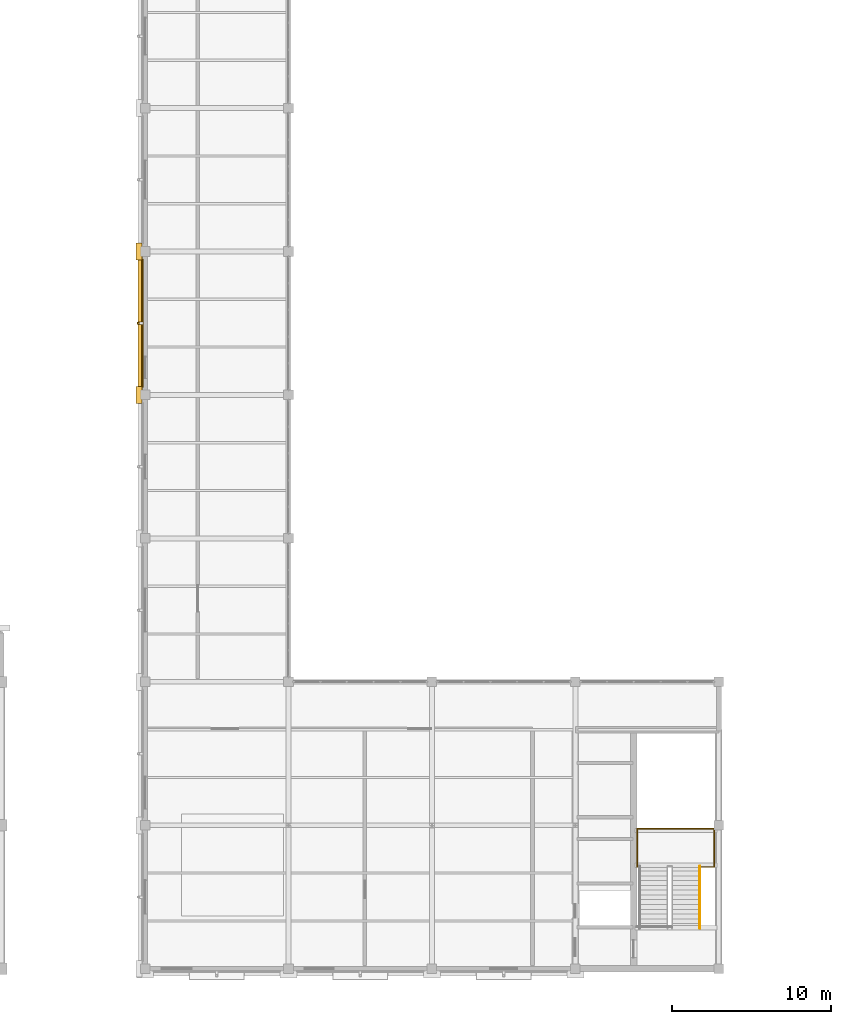
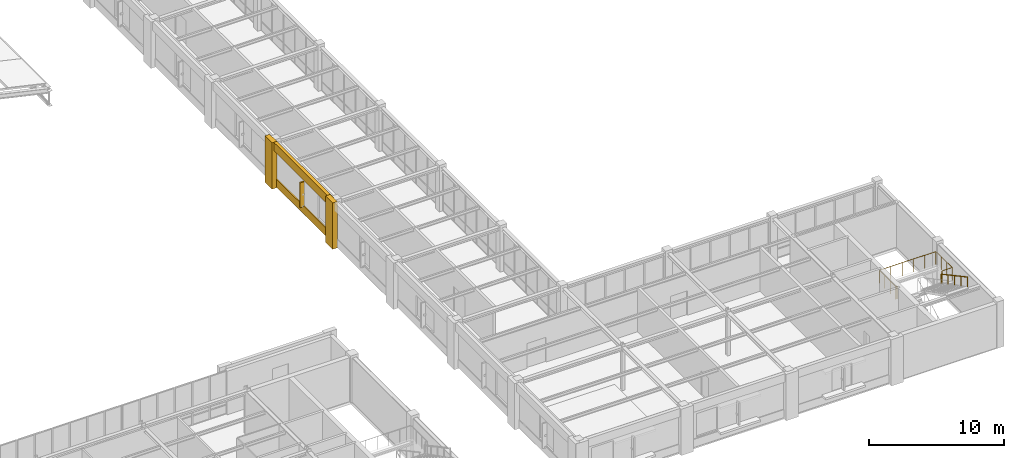
# One storey, part 126 of 130: 4 coverings, 2 railings, 1 shading device.
"""IFC4 building model written with IfcOpenShell, lengths in metres."""

from ifc_helpers import new_model, si_unit, direction, frame, origin, origin_2d, place, context, subcontext, project, spatial, rectangle, circle, extrude, material, layer, layer_set, type_object, element, save


model = new_model("IFC4")

# Units and contexts
model_context = context("Model", 3, precision=1e-05, world=origin(), true_north=direction((0.0, 1.0)))
body_context = subcontext(model_context, "Body", "Model", "MODEL_VIEW")
ifc_project = project(units=[si_unit("LENGTHUNIT", "METRE"), si_unit("AREAUNIT", "SQUARE_METRE"), si_unit("VOLUMEUNIT", "CUBIC_METRE"), si_unit("PLANEANGLEUNIT", "RADIAN"), si_unit("MASSUNIT", "GRAM", prefix="KILO")], contexts=[model_context])

# Site, building, storey
site_placement = place(None, origin())
site = spatial("IfcSite", under=ifc_project, at=site_placement, CompositionType="ELEMENT")
building_placement = place(site_placement, origin())
building = spatial("IfcBuilding", under=site, at=building_placement, Name="Lykobir Media Centre", CompositionType="ELEMENT")
storey_placement = place(building_placement, frame((0.0, 0.0, 19.199951171875)))
storey = spatial("IfcBuildingStorey", under=building, at=storey_placement, Name="L04", CompositionType="ELEMENT", Elevation=19.199951171875)

# Coverings
ifc_material_1 = material(Name="Glazed Turquoise Terracotta", Category="masonry")
ifc_layer_1 = layer(ifc_material_1, 0.0400390625, Name="Glazed Turquoise Terracotta")
ifc_layer_set_1 = layer_set([ifc_layer_1], Name="Glazed Turquoise Terracotta")
covering_type_1 = type_object("IfcCoveringType", Name="CLD-TERR", PredefinedType="CLADDING", material=ifc_layer_set_1)
covering_1_placement = place(storey_placement, frame((89.8291015625, 40.5, 0.080078125), z_axis=(0.0, 0.0, 1.0), x_axis=(0.0, -1.0, 0.0)))
element("IfcCovering", 1, at=covering_1_placement, inside=storey, type_object=covering_type_1, Name="Facade spandrel apron 681", PredefinedType="CLADDING", context=body_context, shape_type="SweptSolid", body=[
    extrude(rectangle(XDim=8.030029296875, YDim=0.10009765625, at=origin_2d()), origin(), (0.0, 0.0, 1.0), 0.719970703125),
])
ifc_material_2 = material(Name="Honed Travertine Stone", Category="masonry")
ifc_layer_2 = layer(ifc_material_2, 0.050048828125, Name="Honed Travertine Stone")
ifc_layer_set_2 = layer_set([ifc_layer_2], Name="Honed Travertine Stone")
covering_type_2 = type_object("IfcCoveringType", Name="CLD-TRAV", PredefinedType="CLADDING", material=ifc_layer_set_2)
for number, where, z_axis, x_axis, name in (
    (2, (89.6201171875, 36.0, 0.0), (0.0, 0.0, 1.0), (0.0, -1.0, 0.0), "Travertine column pier 676"),
    (3, (89.6201171875, 45.0, 0.0), (0.0, 0.0, 1.0), (0.0, -1.0, 0.0), "Travertine column pier 679"),
):
    element("IfcCovering", number, at=place(storey_placement, frame(where, z_axis=z_axis, x_axis=x_axis)), inside=storey, type_object=covering_type_2, Name=name, PredefinedType="CLADDING", context=body_context, shape_type="SweptSolid", body=[
        extrude(rectangle(XDim=1.06005859375, YDim=0.39990234375, at=origin_2d()), origin(), (0.0, 0.0, 1.0), 4.199951171875),
    ])
covering_2_placement = place(storey_placement, frame((89.699951171875, 40.5, 3.43994140625), z_axis=(0.0, 0.0, 1.0), x_axis=(0.0, -1.0, 0.0)))
element("IfcCovering", 4, at=covering_2_placement, inside=storey, type_object=covering_type_2, Name="Travertine spandrel stringcourse 680", PredefinedType="CLADDING", context=body_context, shape_type="SweptSolid", body=[
    extrude(rectangle(XDim=9.0, YDim=0.280029296875, at=origin_2d()), origin(), (0.0, 0.0, 1.0), 0.760009765625),
])

# Railings
ifc_material_3 = material(Name="Steel S355", Category="steel")
railing_type_1 = type_object("IfcRailingType", Name="GR-1200", PredefinedType="BALUSTRADE", material=ifc_material_3)
railing_1_placement = place(storey_placement, frame((120.989990234375, 6.389892578125, 2.10009765625)))
element("IfcRailing", 5, at=railing_1_placement, inside=storey, type_object=railing_type_1, Name="ST-5 L04 half-landing perimeter guard", PredefinedType="BALUSTRADE", context=body_context, shape_type="SweptSolid", body=[
    extrude(circle(Radius=0.02392578125, at=origin_2d()), frame((0.0, 0.0, 1.17578125), z_axis=(-1.0, 0.0, 0.0), x_axis=(0.0, -1.0, 0.0)), (0.0, 0.0, 1.0), 0.110107421875),
    extrude(circle(Radius=0.02392578125, at=origin_2d()), frame((-0.110107421875, 0.0, 1.17578125), z_axis=(0.0, 1.0, 0.0), x_axis=(-1.0, 0.0, 0.0)), (0.0, 0.0, 1.0), 2.400146484375),
    extrude(circle(Radius=0.02392578125, at=origin_2d()), frame((-0.110107421875, 2.400146484375, 1.17578125), z_axis=(1.0, 0.0, 0.0), x_axis=(0.0, 1.0, 0.0)), (0.0, 0.0, 1.0), 4.840087890625),
    extrude(circle(Radius=0.02392578125, at=origin_2d()), frame((4.72998046875, 2.400146484375, 1.17578125), z_axis=(0.0, -1.0, 0.0), x_axis=(1.0, 0.0, 0.0)), (0.0, 0.0, 1.0), 2.400146484375),
    extrude(circle(Radius=0.02392578125, at=origin_2d()), frame((4.72998046875, 0.0, 1.17578125), z_axis=(-1.0, 0.0, 0.0), x_axis=(0.0, -1.0, 0.0)), (0.0, 0.0, 1.0), 0.869873046875),
    extrude(circle(Radius=0.02099609375, at=origin_2d()), origin(), (0.0, 0.0, 1.0), 1.15185546875),
    extrude(circle(Radius=0.02099609375, at=origin_2d()), frame((-0.110107421875, 0.0, 0.0)), (0.0, 0.0, 1.0), 1.15185546875),
    extrude(circle(Radius=0.02099609375, at=origin_2d()), frame((-0.110107421875, 0.800048828125, 0.0)), (0.0, 0.0, 1.0), 1.15185546875),
    extrude(circle(Radius=0.02099609375, at=origin_2d()), frame((-0.110107421875, 1.60009765625, 0.0)), (0.0, 0.0, 1.0), 1.15185546875),
    extrude(circle(Radius=0.02099609375, at=origin_2d()), frame((-0.110107421875, 2.400146484375, 0.0)), (0.0, 0.0, 1.0), 1.15185546875),
    extrude(circle(Radius=0.02099609375, at=origin_2d()), frame((0.85791015625, 2.400146484375, 0.0)), (0.0, 0.0, 1.0), 1.15185546875),
    extrude(circle(Radius=0.02099609375, at=origin_2d()), frame((1.825927734375, 2.400146484375, 0.0)), (0.0, 0.0, 1.0), 1.15185546875),
    extrude(circle(Radius=0.02099609375, at=origin_2d()), frame((2.7939453125, 2.400146484375, 0.0)), (0.0, 0.0, 1.0), 1.15185546875),
    extrude(circle(Radius=0.02099609375, at=origin_2d()), frame((3.761962890625, 2.400146484375, 0.0)), (0.0, 0.0, 1.0), 1.15185546875),
    extrude(circle(Radius=0.02099609375, at=origin_2d()), frame((4.72998046875, 2.400146484375, 0.0)), (0.0, 0.0, 1.0), 1.15185546875),
    extrude(circle(Radius=0.02099609375, at=origin_2d()), frame((4.72998046875, 1.60009765625, 0.0)), (0.0, 0.0, 1.0), 1.15185546875),
    extrude(circle(Radius=0.02099609375, at=origin_2d()), frame((4.72998046875, 0.800048828125, 0.0)), (0.0, 0.0, 1.0), 1.15185546875),
    extrude(circle(Radius=0.02099609375, at=origin_2d()), frame((4.72998046875, 0.0, 0.0)), (0.0, 0.0, 1.0), 1.15185546875),
    extrude(circle(Radius=0.02099609375, at=origin_2d()), frame((3.860107421875, 0.0, 0.0)), (0.0, 0.0, 1.0), 1.15185546875),
])
railing_type_2 = type_object("IfcRailingType", Name="HR-0900", PredefinedType="HANDRAIL", material=ifc_material_3)
railing_2_placement = place(storey_placement, frame((124.81005859375, 6.429931640625, 2.10009765625)))
element("IfcRailing", 6, at=railing_2_placement, inside=storey, type_object=railing_type_2, Name="ST-5 L04 F2 wall handrail", PredefinedType="HANDRAIL", context=body_context, shape_type="SweptSolid", body=[
    extrude(circle(Radius=0.02392578125, at=origin_2d()), frame((0.0, 0.0, 0.8759765625), z_axis=(0.0, -0.88047994924, 0.474083388219), x_axis=(1.0, 0.0, 0.0)), (0.0, 0.0, 1.0), 4.42919921875),
    extrude(circle(Radius=0.02099609375, at=origin_2d()), origin(), (0.0, 0.0, 1.0), 0.851806640625),
    extrude(circle(Radius=0.02099609375, at=origin_2d()), frame((0.0, -0.97509765625, 0.52490234375)), (0.0, 0.0, 1.0), 0.851806640625),
    extrude(circle(Radius=0.02099609375, at=origin_2d()), frame((0.0, -1.949951171875, 1.0498046875)), (0.0, 0.0, 1.0), 0.851806640625),
    extrude(circle(Radius=0.02099609375, at=origin_2d()), frame((0.0, -2.9248046875, 1.574951171875)), (0.0, 0.0, 1.0), 0.851806640625),
    extrude(circle(Radius=0.02099609375, at=origin_2d()), frame((0.0, -3.89990234375, 2.099853515625)), (0.0, 0.0, 1.0), 0.851806640625),
])

# Shading device
shading_device_type = type_object("IfcShadingDeviceType", Name="SHD-FIN", PredefinedType="USERDEFINED", material=ifc_material_1)
shading_device_placement = place(storey_placement, frame((89.675048828125, 40.5, 0.72509765625), z_axis=(0.0, 0.0, 1.0), x_axis=(0.0, -1.0, 0.0)))
element("IfcShadingDevice", 7, at=shading_device_placement, inside=storey, type_object=shading_device_type, Name="Terracotta shading fin 67", ObjectType="FIN", PredefinedType="USERDEFINED", context=body_context, shape_type="SweptSolid", body=[
    extrude(rectangle(XDim=0.1201171875, YDim=0.35009765625, at=origin_2d()), origin(), (0.0, 0.0, 1.0), 2.25),
])

save(model, "model.ifc")
